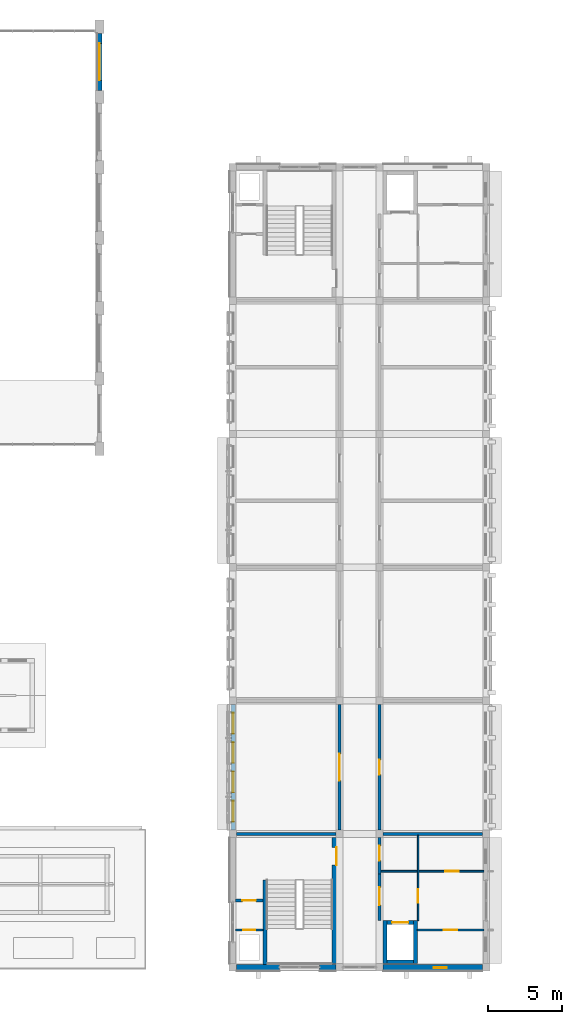
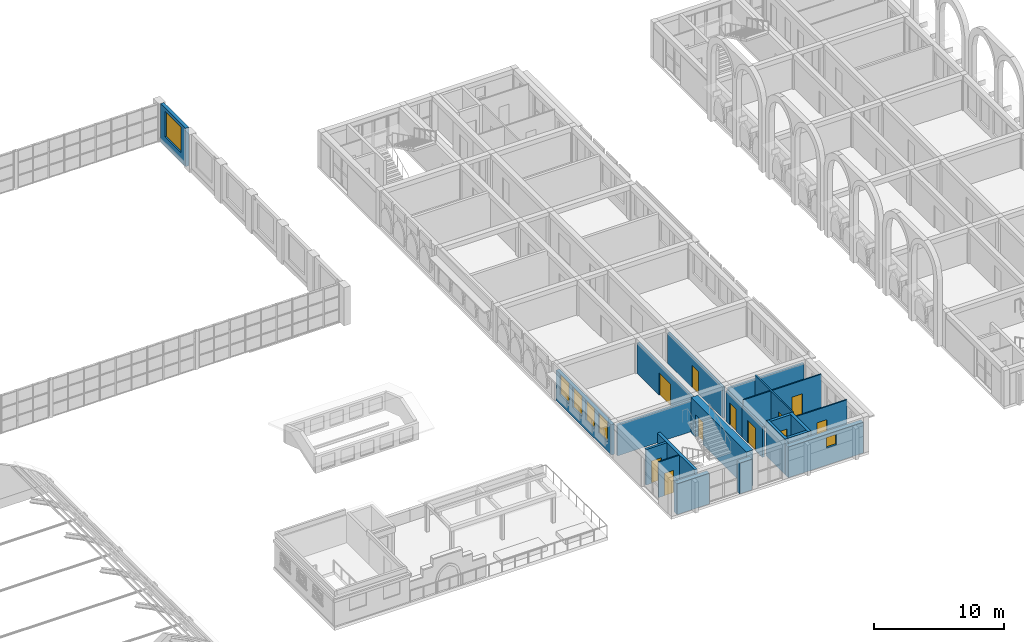
# One storey, part 35 of 70: 22 walls, 11 doors, 6 windows, 17 openings.
"""IFC4 building model written with IfcOpenShell, lengths in metres."""

import ifcopenshell
import ifcopenshell.guid

model = None  # the IFC model being written
_history = None  # IfcOwnerHistory: only IFC2X3 demands one
_inside = {}  # id of a spatial element -> (the spatial element, [elements in it])
_under = {}  # id of a project, library or spatial element -> (it, [spatial elements below it])
_declared = {}  # id of a project -> (the project, [libraries it declares])
_typed = {}  # id of a type object -> (the type object, [elements of that type])
_made_of = {}  # id of a material, layer set ... -> (it, [elements and type objects made of it])


def new_model(schema):
    """Start an empty IFC model of exactly this schema.

    Asked for "IFC4X3", IfcOpenShell would pick the latest addendum, in which some entities
    have other attributes; the version numbers below select the first issue.
    IFC2X3 requires an IfcOwnerHistory on every rooted entity: one is made here for all.
    """
    global model, _history
    if schema == "IFC4X3":
        model = ifcopenshell.file(schema_version=(4, 3, 0, 0))
    else:
        model = ifcopenshell.file(schema=schema)
    _inside.clear()
    _under.clear()
    _declared.clear()
    _typed.clear()
    _made_of.clear()
    _history = None
    if model.schema == "IFC2X3":
        org = make("IfcOrganization", Name="unknown")
        user = make(
            "IfcPersonAndOrganization",
            ThePerson=make("IfcPerson", FamilyName="unknown"),
            TheOrganization=org,
        )
        app = make(
            "IfcApplication",
            ApplicationDeveloper=org,
            Version="unknown",
            ApplicationFullName="unknown",
            ApplicationIdentifier="unknown",
        )
        _history = make(
            "IfcOwnerHistory",
            OwningUser=user,
            OwningApplication=app,
            ChangeAction="ADDED",
            CreationDate=0,
        )
    return model


def make(cls, **values):
    """One entity of the class cls with the attributes given. An attribute that is None is left unset."""
    return model.create_entity(
        cls, **{name: value for name, value in values.items() if value is not None}
    )


def rooted(cls, **values):
    """An entity with a GlobalId (a new one), such as an element, a storey or a relation."""
    return make(cls, GlobalId=ifcopenshell.guid.new(), OwnerHistory=_history, **values)


def si_unit(unit_type, name, prefix=None):
    """IfcSIUnit, for example si_unit("LENGTHUNIT", "METRE", prefix="MILLI")."""
    return make("IfcSIUnit", UnitType=unit_type, Prefix=prefix, Name=name)


def assignment(units):
    """IfcUnitAssignment: the units of a project."""
    return None if units is None else make("IfcUnitAssignment", Units=units)


def point(xyz):
    """IfcCartesianPoint."""
    return None if xyz is None else make("IfcCartesianPoint", Coordinates=xyz)


def direction(xyz):
    """IfcDirection."""
    return None if xyz is None else make("IfcDirection", DirectionRatios=xyz)


def frame(location, z_axis=None, x_axis=None):
    """IfcAxis2Placement3D, a coordinate frame: its origin and axes. An axis left out is left unset."""
    return make(
        "IfcAxis2Placement3D",
        Location=point(location),
        Axis=direction(z_axis),
        RefDirection=direction(x_axis),
    )


def frame_2d(location, x_axis=None):
    """IfcAxis2Placement2D, a coordinate frame in the plane: its origin and x axis."""
    return make(
        "IfcAxis2Placement2D", Location=point(location), RefDirection=direction(x_axis)
    )


def origin():
    """The frame at (0, 0, 0) with its axes left unset."""
    return frame((0.0, 0.0, 0.0))


def place(relative_to, where):
    """IfcLocalPlacement: puts the frame where relative to a parent placement (None: the world)."""
    return make(
        "IfcLocalPlacement", PlacementRelTo=relative_to, RelativePlacement=where
    )


def context(
    kind, dimensions, precision=None, world=None, true_north=None, identifier=None
):
    """IfcGeometricRepresentationContext, for example the 3D "Model" context."""
    return make(
        "IfcGeometricRepresentationContext",
        ContextIdentifier=identifier,
        ContextType=kind,
        CoordinateSpaceDimension=dimensions,
        Precision=precision,
        WorldCoordinateSystem=world,
        TrueNorth=true_north,
    )


def subcontext(parent, identifier, kind, view, scale=None):
    """IfcGeometricRepresentationSubContext, for example "Body" below "Model"."""
    return make(
        "IfcGeometricRepresentationSubContext",
        ContextIdentifier=identifier,
        ContextType=kind,
        ParentContext=parent,
        TargetScale=scale,
        TargetView=view,
    )


def project(units=None, contexts=None):
    """IfcProject with its units and contexts."""
    return rooted(
        "IfcProject",
        Name="project",
        RepresentationContexts=contexts,
        UnitsInContext=assignment(units),
    )


def spatial(cls, under=None, at=None, **own):
    """A site, building, storey or space (cls), placed at a placement, below another one or the project."""
    s = rooted(cls, ObjectPlacement=at, **own)
    if under is not None:
        _under.setdefault(under.id(), (under, []))[1].append(s)
    return s


def profile(cls, at=None, kind="AREA", **sizes):
    """A parametric profile (cls). Its sizes go by their IFC names, for example OverallWidth=200.0."""
    return make(cls, ProfileType=kind, Position=at, **sizes)


def rectangle(**sizes):
    """IfcRectangleProfileDef."""
    return profile("IfcRectangleProfileDef", **sizes)


def extrude(swept, where, along, depth):
    """IfcExtrudedAreaSolid: the profile swept, set in the frame where, extruded along a direction by depth."""
    return make(
        "IfcExtrudedAreaSolid",
        SweptArea=swept,
        Position=where,
        ExtrudedDirection=direction(along),
        Depth=depth,
    )


def shape(context_of_items, identifier, shape_type, items):
    """IfcShapeRepresentation: the items that make up one representation, for example the "Body"."""
    return make(
        "IfcShapeRepresentation",
        ContextOfItems=context_of_items,
        RepresentationIdentifier=identifier,
        RepresentationType=shape_type,
        Items=items,
    )


def material(Name=None, Category=None):
    """IfcMaterial."""
    return make("IfcMaterial", Name=Name, Category=Category)


def layer(
    of_material, thickness, ventilated=None, Name=None, Category=None, Priority=None
):
    """IfcMaterialLayer: one layer of a wall or slab, of a material (None: an air gap)."""
    return make(
        "IfcMaterialLayer",
        Material=of_material,
        LayerThickness=thickness,
        IsVentilated=ventilated,
        Name=Name,
        Category=Category,
        Priority=Priority,
    )


def layer_set(layers, Name=None):
    """IfcMaterialLayerSet."""
    return make("IfcMaterialLayerSet", MaterialLayers=layers, LayerSetName=Name)


def made_of(thing, what):
    """Note that an element or type object is made of a material, layer set ...; save() writes the relation."""
    if what is not None:
        _made_of.setdefault(what.id(), (what, []))[1].append(thing)
    return thing


def type_object(cls, material=None, **own):
    """A type object (cls), such as IfcWallType, which elements share."""
    return made_of(rooted(cls, **own), material)


def element(
    cls,
    number,
    at=None,
    inside=None,
    cuts=None,
    type_object=None,
    material=None,
    context=None,
    identifier="Body",
    shape_type=None,
    held_by="IfcProductDefinitionShape",
    body=None,
    shapes=None,
    **own,
):
    """One element of the class cls, such as IfcWall. Its Tag is "e" and its number.

    at: its placement. inside: the storey or other place that contains it. cuts: it is an
    opening in that element (IfcRelVoidsElement). A single representation is given by context,
    identifier, shape_type and body (its items); several are given by shapes. held_by: the class
    of the entity that holds the representations. save() writes the other relations.
    """
    e = rooted(cls, Tag="e%d" % number, ObjectPlacement=at, **own)
    if body is not None:
        shapes = [shape(context, identifier, shape_type, body)]
    if shapes is not None:
        e.Representation = make(held_by, Representations=shapes)
    if inside is not None:
        _inside.setdefault(inside.id(), (inside, []))[1].append(e)
    if cuts is not None:
        rooted(
            "IfcRelVoidsElement", RelatingBuildingElement=cuts, RelatedOpeningElement=e
        )
    if type_object is not None:
        _typed.setdefault(type_object.id(), (type_object, []))[1].append(e)
    return made_of(e, material)


def fill(opening, filler):
    """IfcRelFillsElement: the door or window that sits in an opening."""
    return rooted(
        "IfcRelFillsElement",
        RelatingOpeningElement=opening,
        RelatedBuildingElement=filler,
    )


def aggregate(whole, parts):
    """IfcRelAggregates: a whole, such as a stair, and the parts it consists of."""
    return rooted("IfcRelAggregates", RelatingObject=whole, RelatedObjects=parts)


def save(model, path):
    """Write the relations noted so far, then the file.

    IfcRelAggregates (storeys below a building ...), IfcRelContainedInSpatialStructure (elements
    in a storey), IfcRelDefinesByType, IfcRelAssociatesMaterial and IfcRelDeclares: one each for
    every whole, place, type object, material and project.
    """
    for whole, parts in _under.values():
        aggregate(whole, parts)
    for where, things in _inside.values():
        rooted(
            "IfcRelContainedInSpatialStructure",
            RelatedElements=things,
            RelatingStructure=where,
        )
    for kind, things in _typed.values():
        rooted("IfcRelDefinesByType", RelatedObjects=things, RelatingType=kind)
    for what, things in _made_of.values():
        rooted("IfcRelAssociatesMaterial", RelatedObjects=things, RelatingMaterial=what)
    for by, libraries in _declared.values():
        rooted("IfcRelDeclares", RelatingContext=by, RelatedDefinitions=libraries)
    model.write(path)


model = new_model("IFC4")

# Units and contexts
model_context = context("Model", 3, precision=1e-05, world=origin(), true_north=direction((0.0, 1.0)))
body_context = subcontext(model_context, "Body", "Model", "MODEL_VIEW")
ifc_project = project(units=[si_unit("LENGTHUNIT", "METRE"), si_unit("AREAUNIT", "SQUARE_METRE"), si_unit("VOLUMEUNIT", "CUBIC_METRE"), si_unit("PLANEANGLEUNIT", "RADIAN"), si_unit("MASSUNIT", "GRAM", prefix="KILO")], contexts=[model_context])

# Site, building, storey
site_placement = place(None, origin())
site = spatial("IfcSite", under=ifc_project, at=site_placement, CompositionType="ELEMENT")
building_placement = place(site_placement, origin())
building = spatial("IfcBuilding", under=site, at=building_placement, Name="Elbe Cascade School", CompositionType="ELEMENT")
storey_placement = place(building_placement, frame((0.0, 0.0, 8.10009765625)))
storey = spatial("IfcBuildingStorey", under=building, at=storey_placement, Name="L02", CompositionType="ELEMENT", Elevation=8.10009765625)

# Wall, opening, door
ifc_material_1 = material(Name="Masonry - lime-sand block, plastered", Category="masonry")
ifc_layer_1 = layer(ifc_material_1, 0.199951171875)
ifc_layer_set_1 = layer_set([ifc_layer_1], Name="Masonry - lime-sand block, plastered")
wall_type_1 = type_object("IfcWallType", Name="Bar corridor wall lime-sand block 200 EI 30", PredefinedType="PARTITIONING", material=ifc_layer_set_1)
wall_1_placement = place(storey_placement, frame((78.89990234375, 12.300048828125, 0.0), z_axis=(0.0, 0.0, 1.0), x_axis=(0.0, -1.0, 0.0)))
wall_1 = element("IfcWall", 1, at=wall_1_placement, inside=storey, type_object=wall_type_1, Name="Bar corridor wall lime-sand block 200 EI 30", PredefinedType="PARTITIONING", context=body_context, shape_type="SweptSolid", body=[
    extrude(rectangle(XDim=3.150146484375, YDim=0.199951171875, at=frame_2d((1.5751953125, 0.0))), origin(), (0.0, 0.0, 1.0), 2.89990234375),
])
opening_1_placement = place(wall_1_placement, frame((0.89990234375, 0.0, 0.0)))
opening_1 = element("IfcOpeningElement", 2, at=opening_1_placement, cuts=wall_1, Name="Opening D2.005", PredefinedType="OPENING", context=body_context, shape_type="SweptSolid", body=[
    extrude(rectangle(XDim=1.199951171875, YDim=2.10009765625, at=frame_2d((0.60009765625, 1.050048828125))), frame((0.0, 0.10986328125, 0.0), z_axis=(0.0, -1.0, 0.0), x_axis=(1.0, 0.0, 0.0)), (0.0, 0.0, 1.0), 0.219970703125),
])
ifc_material_2 = material(Name="Timber door leaf, fire-resisting and smoke-tight, steel frame", Category="steel")
door_type_1 = type_object("IfcDoorType", Name="Bar door FD30S 1200x2100", OperationType="NOTDEFINED", PredefinedType="DOOR", material=ifc_material_2)
door_1_placement = place(opening_1_placement, origin())
door_1 = element("IfcDoor", 3, at=door_1_placement, inside=storey, type_object=door_type_1, Name="Door A2.06", OperationType="SINGLE_SWING_LEFT", OverallHeight=2.10009765625, OverallWidth=1.199951171875, PredefinedType="DOOR", context=body_context, shape_type="SweptSolid", body=[
    extrude(rectangle(XDim=1.199951171875, YDim=2.10009765625, at=frame_2d((0.60009765625, 1.050048828125))), frame((0.0, 0.02490234375, 0.0), z_axis=(0.0, -1.0, 0.0), x_axis=(1.0, 0.0, 0.0)), (0.0, 0.0, 1.0), 0.050048828125),
])
fill(opening_1, door_1)

wall_2_placement = place(storey_placement, frame((78.89990234375, 12.300048828125, 0.0), z_axis=(0.0, 0.0, 1.0), x_axis=(0.0, 1.0, 0.0)))
wall_2 = element("IfcWall", 4, at=wall_2_placement, inside=storey, type_object=wall_type_1, Name="Bar corridor wall lime-sand block 200 EI 30", PredefinedType="PARTITIONING", context=body_context, shape_type="SweptSolid", body=[
    extrude(rectangle(XDim=2.449951171875, YDim=0.199951171875, at=frame_2d((1.22509765625, 0.0))), origin(), (0.0, 0.0, 1.0), 2.89990234375),
])
opening_2_placement = place(wall_2_placement, frame((0.89990234375, 0.0, 0.0)))
opening_2 = element("IfcOpeningElement", 5, at=opening_2_placement, cuts=wall_2, Name="Opening D2.009", PredefinedType="OPENING", context=body_context, shape_type="SweptSolid", body=[
    extrude(rectangle(XDim=1.0, YDim=2.10009765625, at=frame_2d((0.5, 1.050048828125))), frame((0.0, 0.10986328125, 0.0), z_axis=(0.0, -1.0, 0.0), x_axis=(1.0, 0.0, 0.0)), (0.0, 0.0, 1.0), 0.219970703125),
])
ifc_material_3 = material(Name="Timber door leaf, fire-resisting, steel frame", Category="steel")
door_type_2 = type_object("IfcDoorType", Name="Bar door FD30 1000x2100", OperationType="NOTDEFINED", PredefinedType="DOOR", material=ifc_material_3)
door_2_placement = place(opening_2_placement, origin())
door_2 = element("IfcDoor", 6, at=door_2_placement, inside=storey, type_object=door_type_2, Name="Door A2.10", OperationType="SINGLE_SWING_RIGHT", OverallHeight=2.10009765625, OverallWidth=1.0, PredefinedType="DOOR", context=body_context, shape_type="SweptSolid", body=[
    extrude(rectangle(XDim=1.0, YDim=2.10009765625, at=frame_2d((0.5, 1.050048828125))), frame((0.0, 0.02490234375, 0.0), z_axis=(0.0, -1.0, 0.0), x_axis=(1.0, 0.0, 0.0)), (0.0, 0.0, 1.0), 0.050048828125),
])
fill(opening_2, door_2)

wall_3_placement = place(storey_placement, frame((76.199951171875, 15.25, 0.0), z_axis=(0.0, 0.0, 1.0), x_axis=(0.0, 1.0, 0.0)))
wall_3 = element("IfcWall", 7, at=wall_3_placement, inside=storey, type_object=wall_type_1, Name="Bar corridor wall lime-sand block 200 EI 30", PredefinedType="PARTITIONING", context=body_context, shape_type="SweptSolid", body=[
    extrude(rectangle(XDim=8.5, YDim=0.199951171875, at=frame_2d((4.25, 0.0))), origin(), (0.0, 0.0, 1.0), 2.89990234375),
])
opening_3_placement = place(wall_3_placement, frame((3.35009765625, 0.0, 0.0)))
opening_3 = element("IfcOpeningElement", 8, at=opening_3_placement, cuts=wall_3, Name="Opening D2.010", PredefinedType="OPENING", context=body_context, shape_type="SweptSolid", body=[
    extrude(rectangle(XDim=1.800048828125, YDim=2.10009765625, at=frame_2d((0.89990234375, 1.050048828125))), frame((0.0, 0.10986328125, 0.0), z_axis=(0.0, -1.0, 0.0), x_axis=(1.0, 0.0, 0.0)), (0.0, 0.0, 1.0), 0.219970703125),
])
ifc_material_4 = material(Name="Timber door leaves, fire-resisting, steel frame", Category="steel")
door_type_3 = type_object("IfcDoorType", Name="Bar door FD30 1800x2100", OperationType="NOTDEFINED", PredefinedType="DOOR", material=ifc_material_4)
door_3_placement = place(opening_3_placement, origin())
door_3 = element("IfcDoor", 9, at=door_3_placement, inside=storey, type_object=door_type_3, Name="Door A2.20", OperationType="DOUBLE_DOOR_DOUBLE_SWING", OverallHeight=2.10009765625, OverallWidth=1.800048828125, PredefinedType="DOOR", context=body_context, shape_type="SweptSolid", body=[
    extrude(rectangle(XDim=1.800048828125, YDim=2.10009765625, at=frame_2d((0.89990234375, 1.050048828125))), frame((0.0, 0.02490234375, 0.0), z_axis=(0.0, -1.0, 0.0), x_axis=(1.0, 0.0, 0.0)), (0.0, 0.0, 1.0), 0.050048828125),
])
fill(opening_3, door_3)

wall_4_placement = place(storey_placement, frame((78.89990234375, 23.75, 0.0), z_axis=(0.0, 0.0, 1.0), x_axis=(0.0, -1.0, 0.0)))
wall_4 = element("IfcWall", 10, at=wall_4_placement, inside=storey, type_object=wall_type_1, Name="Bar corridor wall lime-sand block 200 EI 30", PredefinedType="PARTITIONING", context=body_context, shape_type="SweptSolid", body=[
    extrude(rectangle(XDim=8.5, YDim=0.199951171875, at=frame_2d((4.25, 0.0))), origin(), (0.0, 0.0, 1.0), 2.89990234375),
])
opening_4_placement = place(wall_4_placement, frame((3.75, 0.0, 0.0)))
opening_4 = element("IfcOpeningElement", 11, at=opening_4_placement, cuts=wall_4, Name="Opening D2.011", PredefinedType="OPENING", context=body_context, shape_type="SweptSolid", body=[
    extrude(rectangle(XDim=1.0, YDim=2.10009765625, at=frame_2d((0.5, 1.050048828125))), frame((0.0, 0.10986328125, 0.0), z_axis=(0.0, -1.0, 0.0), x_axis=(1.0, 0.0, 0.0)), (0.0, 0.0, 1.0), 0.219970703125),
])
door_4_placement = place(opening_4_placement, origin())
door_4 = element("IfcDoor", 12, at=door_4_placement, inside=storey, type_object=door_type_2, Name="Door A2.25", OperationType="SINGLE_SWING_RIGHT", OverallHeight=2.10009765625, OverallWidth=1.0, PredefinedType="DOOR", context=body_context, shape_type="SweptSolid", body=[
    extrude(rectangle(XDim=1.0, YDim=2.10009765625, at=frame_2d((0.5, 1.050048828125))), frame((0.0, 0.02490234375, 0.0), z_axis=(0.0, -1.0, 0.0), x_axis=(1.0, 0.0, 0.0)), (0.0, 0.0, 1.0), 0.050048828125),
])
fill(opening_4, door_4)

ifc_material_5 = material(Name="Masonry - lime-sand block, plastered", Category="masonry")
ifc_layer_2 = layer(ifc_material_5, 0.114990234375)
ifc_layer_set_2 = layer_set([ifc_layer_2], Name="Masonry - lime-sand block, plastered")
wall_type_2 = type_object("IfcWallType", Name="Bar light partition wall lime-sand block 115", PredefinedType="PARTITIONING", material=ifc_layer_set_2)
wall_5_placement = place(storey_placement, frame((71.050048828125, 8.52001953125, 0.0), z_axis=(0.0, 0.0, 1.0), x_axis=(-1.0, 0.0, 0.0)))
wall_5 = element("IfcWall", 13, at=wall_5_placement, inside=storey, type_object=wall_type_2, Name="Bar light partition wall lime-sand block 115", PredefinedType="PARTITIONING", context=body_context, shape_type="SweptSolid", body=[
    extrude(rectangle(XDim=1.8701171875, YDim=0.114990234375, at=frame_2d((0.93505859375, 0.0))), origin(), (0.0, 0.0, 1.0), 3.349853515625),
])
opening_5_placement = place(wall_5_placement, frame((0.550048828125, 0.0, 0.0)))
opening_5 = element("IfcOpeningElement", 14, at=opening_5_placement, cuts=wall_5, Name="Opening D2.001", PredefinedType="OPENING", context=body_context, shape_type="SweptSolid", body=[
    extrude(rectangle(XDim=0.800048828125, YDim=2.10009765625, at=frame_2d((0.39990234375, 1.050048828125))), frame((0.0, 0.0673828125, 0.0), z_axis=(0.0, -1.0, 0.0), x_axis=(1.0, 0.0, 0.0)), (0.0, 0.0, 1.0), 0.135009765625),
])
ifc_material_6 = material(Name="Timber door leaf, steel frame", Category="steel")
door_type_4 = type_object("IfcDoorType", Name="Bar door 800x2100", OperationType="NOTDEFINED", PredefinedType="DOOR", material=ifc_material_6)
door_5_placement = place(opening_5_placement, origin())
door_5 = element("IfcDoor", 15, at=door_5_placement, inside=storey, type_object=door_type_4, Name="Door A2.05", OperationType="SINGLE_SWING_LEFT", OverallHeight=2.10009765625, OverallWidth=0.800048828125, PredefinedType="DOOR", context=body_context, shape_type="SweptSolid", body=[
    extrude(rectangle(XDim=0.800048828125, YDim=2.10009765625, at=frame_2d((0.39990234375, 1.050048828125))), frame((0.0, 0.02490234375, 0.0), z_axis=(0.0, -1.0, 0.0), x_axis=(1.0, 0.0, 0.0)), (0.0, 0.0, 1.0), 0.050048828125),
])
fill(opening_5, door_5)

wall_6_placement = place(storey_placement, frame((81.507568359375, 14.89990234375, 0.0), z_axis=(0.0, 0.0, 1.0), x_axis=(0.0, -1.0, 0.0)))
wall_6 = element("IfcWall", 16, at=wall_6_placement, inside=storey, type_object=wall_type_2, Name="Bar light partition wall lime-sand block 115", PredefinedType="PARTITIONING", context=body_context, shape_type="SweptSolid", body=[
    extrude(rectangle(XDim=5.75, YDim=0.114990234375, at=frame_2d((2.875, 0.0))), origin(), (0.0, 0.0, 1.0), 3.349853515625),
])
opening_6_placement = place(wall_6_placement, frame((3.64990234375, 0.0, 0.0)))
opening_6 = element("IfcOpeningElement", 17, at=opening_6_placement, cuts=wall_6, Name="Opening D2.006", PredefinedType="OPENING", context=body_context, shape_type="SweptSolid", body=[
    extrude(rectangle(XDim=0.89990234375, YDim=2.10009765625, at=frame_2d((0.449951171875, 1.050048828125))), frame((0.0, 0.0673828125, 0.0), z_axis=(0.0, -1.0, 0.0), x_axis=(1.0, 0.0, 0.0)), (0.0, 0.0, 1.0), 0.135009765625),
])
ifc_material_7 = material(Name="Timber door leaf, steel frame", Category="steel")
door_type_5 = type_object("IfcDoorType", Name="Bar door 900x2100", OperationType="NOTDEFINED", PredefinedType="DOOR", material=ifc_material_7)
door_6_placement = place(opening_6_placement, origin())
door_6 = element("IfcDoor", 18, at=door_6_placement, inside=storey, type_object=door_type_5, Name="Door A2.07", OperationType="SINGLE_SWING_LEFT", OverallHeight=2.10009765625, OverallWidth=0.89990234375, PredefinedType="DOOR", context=body_context, shape_type="SweptSolid", body=[
    extrude(rectangle(XDim=0.89990234375, YDim=2.10009765625, at=frame_2d((0.449951171875, 1.050048828125))), frame((0.0, 0.02490234375, 0.0), z_axis=(0.0, -1.0, 0.0), x_axis=(1.0, 0.0, 0.0)), (0.0, 0.0, 1.0), 0.050048828125),
])
fill(opening_6, door_6)

wall_7_placement = place(storey_placement, frame((85.949951171875, 8.52001953125, 0.0), z_axis=(0.0, 0.0, 1.0), x_axis=(-1.0, 0.0, 0.0)))
wall_7 = element("IfcWall", 19, at=wall_7_placement, inside=storey, type_object=wall_type_2, Name="Bar light partition wall lime-sand block 115", PredefinedType="PARTITIONING", context=body_context, shape_type="SweptSolid", body=[
    extrude(rectangle(XDim=4.5, YDim=0.114990234375, at=frame_2d((2.25, 0.0))), origin(), (0.0, 0.0, 1.0), 3.349853515625),
])
opening_7_placement = place(wall_7_placement, frame((1.800048828125, 0.0, 0.0)))
opening_7 = element("IfcOpeningElement", 20, at=opening_7_placement, cuts=wall_7, Name="Opening D2.002", PredefinedType="OPENING", context=body_context, shape_type="SweptSolid", body=[
    extrude(rectangle(XDim=0.89990234375, YDim=2.10009765625, at=frame_2d((0.449951171875, 1.050048828125))), frame((0.0, 0.0673828125, 0.0), z_axis=(0.0, -1.0, 0.0), x_axis=(1.0, 0.0, 0.0)), (0.0, 0.0, 1.0), 0.135009765625),
])
door_7_placement = place(opening_7_placement, origin())
door_7 = element("IfcDoor", 21, at=door_7_placement, inside=storey, type_object=door_type_5, Name="Door A2.08", OperationType="SINGLE_SWING_LEFT", OverallHeight=2.10009765625, OverallWidth=0.89990234375, PredefinedType="DOOR", context=body_context, shape_type="SweptSolid", body=[
    extrude(rectangle(XDim=0.89990234375, YDim=2.10009765625, at=frame_2d((0.449951171875, 1.050048828125))), frame((0.0, 0.02490234375, 0.0), z_axis=(0.0, -1.0, 0.0), x_axis=(1.0, 0.0, 0.0)), (0.0, 0.0, 1.0), 0.050048828125),
])
fill(opening_7, door_7)

wall_8_placement = place(storey_placement, frame((79.0, 12.47998046875, 0.0), z_axis=(0.0, 0.0, 1.0), x_axis=(1.0, 0.0, 0.0)))
wall_8 = element("IfcWall", 22, at=wall_8_placement, inside=storey, type_object=wall_type_2, Name="Bar light partition wall lime-sand block 115", PredefinedType="PARTITIONING", context=body_context, shape_type="SweptSolid", body=[
    extrude(rectangle(XDim=6.949951171875, YDim=0.114990234375, at=frame_2d((3.47509765625, 0.0))), origin(), (0.0, 0.0, 1.0), 3.349853515625),
])
opening_8_placement = place(wall_8_placement, frame((4.35009765625, 0.0, 0.0)))
opening_8 = element("IfcOpeningElement", 23, at=opening_8_placement, cuts=wall_8, Name="Opening D2.007", PredefinedType="OPENING", context=body_context, shape_type="SweptSolid", body=[
    extrude(rectangle(XDim=0.89990234375, YDim=2.10009765625, at=frame_2d((0.449951171875, 1.050048828125))), frame((0.0, 0.0673828125, 0.0), z_axis=(0.0, -1.0, 0.0), x_axis=(1.0, 0.0, 0.0)), (0.0, 0.0, 1.0), 0.135009765625),
])
door_8_placement = place(opening_8_placement, origin())
door_8 = element("IfcDoor", 24, at=door_8_placement, inside=storey, type_object=door_type_5, Name="Door A2.09", OperationType="SINGLE_SWING_RIGHT", OverallHeight=2.10009765625, OverallWidth=0.89990234375, PredefinedType="DOOR", context=body_context, shape_type="SweptSolid", body=[
    extrude(rectangle(XDim=0.89990234375, YDim=2.10009765625, at=frame_2d((0.449951171875, 1.050048828125))), frame((0.0, 0.02490234375, 0.0), z_axis=(0.0, -1.0, 0.0), x_axis=(1.0, 0.0, 0.0)), (0.0, 0.0, 1.0), 0.050048828125),
])
fill(opening_8, door_8)

# Walls
ifc_material_8 = material(Name="Masonry - lime-sand block, plastered", Category="masonry")
ifc_layer_3 = layer(ifc_material_8, 0.199951171875)
ifc_layer_set_3 = layer_set([ifc_layer_3], Name="Masonry - lime-sand block, plastered")
wall_type_3 = type_object("IfcWallType", Name="Bar partition wall lime-sand block 200", PredefinedType="PARTITIONING", material=ifc_layer_set_3)
wall_9_placement = place(storey_placement, frame((79.14990234375, 15.0, 0.0), z_axis=(0.0, 0.0, 1.0), x_axis=(1.0, 0.0, 0.0)))
element("IfcWall", 25, at=wall_9_placement, inside=storey, type_object=wall_type_3, Name="Bar partition wall lime-sand block 200", PredefinedType="PARTITIONING", context=body_context, shape_type="SweptSolid", body=[
    extrude(rectangle(XDim=6.7001953125, YDim=0.199951171875, at=frame_2d((3.35009765625, 0.0))), origin(), (0.0, 0.0, 1.0), 2.89990234375),
])
ifc_material_9 = material(Name="Concrete C30/37", Category="concrete")
ifc_layer_4 = layer(ifc_material_9, 0.25)
ifc_layer_set_4 = layer_set([ifc_layer_4], Name="Concrete C30/37")
wall_type_4 = type_object("IfcWallType", Name="Bar stair core wall RC 250", PredefinedType="SOLIDWALL", material=ifc_layer_set_4)
wall_10_placement = place(storey_placement, frame((71.175048828125, 6.179931640625, 0.0), z_axis=(0.0, 0.0, 1.0), x_axis=(0.0, 1.0, 0.0)))
element("IfcWall", 26, at=wall_10_placement, inside=storey, type_object=wall_type_4, Name="Bar stair core wall RC 250", PredefinedType="SOLIDWALL", context=body_context, shape_type="SweptSolid", body=[
    extrude(rectangle(XDim=5.719970703125, YDim=0.25, at=frame_2d((2.85986328125, 0.0))), origin(), (0.0, 0.0, 1.0), 3.349853515625),
])

# Wall, opening, door
ifc_material_10 = material(Name="Concrete C30/37", Category="concrete")
ifc_layer_5 = layer(ifc_material_10, 0.60009765625)
ifc_layer_set_5 = layer_set([ifc_layer_5], Name="Concrete C30/37")
wall_type_5 = type_object("IfcWallType", Name="Bar stair core wall RC 600", PredefinedType="SOLIDWALL", material=ifc_layer_set_5)
wall_11_placement = place(storey_placement, frame((76.0, 6.25, 0.0), z_axis=(0.0, 0.0, 1.0), x_axis=(0.0, 1.0, 0.0)))
wall_11 = element("IfcWall", 27, at=wall_11_placement, inside=storey, type_object=wall_type_5, Name="Bar stair core wall RC 600", PredefinedType="SOLIDWALL", context=body_context, shape_type="SweptSolid", body=[
    extrude(rectangle(XDim=8.5, YDim=0.60009765625, at=frame_2d((4.25, 0.0))), origin(), (0.0, 0.0, 1.0), 3.349853515625),
])
opening_9_placement = place(wall_11_placement, frame((6.64990234375, 0.0, 0.0)))
opening_9 = element("IfcOpeningElement", 28, at=opening_9_placement, cuts=wall_11, Name="Opening D2.008", PredefinedType="OPENING", context=body_context, shape_type="SweptSolid", body=[
    extrude(rectangle(XDim=1.199951171875, YDim=2.10009765625, at=frame_2d((0.60009765625, 1.050048828125))), frame((0.0, 0.31005859375, 0.0), z_axis=(0.0, -1.0, 0.0), x_axis=(1.0, 0.0, 0.0)), (0.0, 0.0, 1.0), 0.6201171875),
])
door_9_placement = place(opening_9_placement, origin())
door_9 = element("IfcDoor", 29, at=door_9_placement, inside=storey, type_object=door_type_1, Name="Door A2.03", OperationType="SINGLE_SWING_RIGHT", OverallHeight=2.10009765625, OverallWidth=1.199951171875, PredefinedType="DOOR", context=body_context, shape_type="SweptSolid", body=[
    extrude(rectangle(XDim=1.199951171875, YDim=2.10009765625, at=frame_2d((0.60009765625, 1.050048828125))), frame((0.0, 0.02490234375, 0.0), z_axis=(0.0, -1.0, 0.0), x_axis=(1.0, 0.0, 0.0)), (0.0, 0.0, 1.0), 0.050048828125),
])
fill(opening_9, door_9)

ifc_material_11 = material(Name="Concrete C30/37", Category="concrete")
ifc_layer_6 = layer(ifc_material_11, 0.199951171875)
ifc_layer_set_6 = layer_set([ifc_layer_6], Name="Concrete C30/37")
wall_type_6 = type_object("IfcWallType", Name="Bar stair lobby wall RC 200", PredefinedType="SOLIDWALL", material=ifc_layer_set_6)
wall_12_placement = place(storey_placement, frame((71.050048828125, 10.5, 0.0), z_axis=(0.0, 0.0, 1.0), x_axis=(-1.0, 0.0, 0.0)))
wall_12 = element("IfcWall", 30, at=wall_12_placement, inside=storey, type_object=wall_type_6, Name="Bar stair lobby wall RC 200", PredefinedType="SOLIDWALL", context=body_context, shape_type="SweptSolid", body=[
    extrude(rectangle(XDim=1.8701171875, YDim=0.199951171875, at=frame_2d((0.93505859375, 0.0))), origin(), (0.0, 0.0, 1.0), 3.349853515625),
])
opening_10_placement = place(wall_12_placement, frame((0.5, 0.0, 0.0)))
opening_10 = element("IfcOpeningElement", 31, at=opening_10_placement, cuts=wall_12, Name="Opening D2.004", PredefinedType="OPENING", context=body_context, shape_type="SweptSolid", body=[
    extrude(rectangle(XDim=0.89990234375, YDim=2.10009765625, at=frame_2d((0.449951171875, 1.050048828125))), frame((0.0, 0.10986328125, 0.0), z_axis=(0.0, -1.0, 0.0), x_axis=(1.0, 0.0, 0.0)), (0.0, 0.0, 1.0), 0.219970703125),
])
ifc_material_12 = material(Name="Timber door leaf, fire-resisting and smoke-tight, steel frame", Category="steel")
door_type_6 = type_object("IfcDoorType", Name="Bar door FD30S 900x2100", OperationType="NOTDEFINED", PredefinedType="DOOR", material=ifc_material_12)
door_10_placement = place(opening_10_placement, origin())
door_10 = element("IfcDoor", 32, at=door_10_placement, inside=storey, type_object=door_type_6, Name="Door A2.04", OperationType="SINGLE_SWING_RIGHT", OverallHeight=2.10009765625, OverallWidth=0.89990234375, PredefinedType="DOOR", context=body_context, shape_type="SweptSolid", body=[
    extrude(rectangle(XDim=0.89990234375, YDim=2.10009765625, at=frame_2d((0.449951171875, 1.050048828125))), frame((0.0, 0.02490234375, 0.0), z_axis=(0.0, -1.0, 0.0), x_axis=(1.0, 0.0, 0.0)), (0.0, 0.0, 1.0), 0.050048828125),
])
fill(opening_10, door_10)

# Wall
wall_13_placement = place(storey_placement, frame((69.25, 15.0, 0.0), z_axis=(0.0, 0.0, 1.0), x_axis=(1.0, 0.0, 0.0)))
element("IfcWall", 33, at=wall_13_placement, inside=storey, type_object=wall_type_6, Name="Bar stair lobby wall RC 200", PredefinedType="SOLIDWALL", context=body_context, shape_type="SweptSolid", body=[
    extrude(rectangle(XDim=6.699951171875, YDim=0.199951171875, at=frame_2d((3.35009765625, 0.0))), origin(), (0.0, 0.0, 1.0), 2.89990234375),
])

# Wall, openings, windows
ifc_material_13 = material(Name="Brick masonry - red clinker, cavity wall with render backing", Category="masonry")
ifc_layer_7 = layer(ifc_material_13, 0.300048828125)
ifc_layer_set_7 = layer_set([ifc_layer_7], Name="Brick masonry - red clinker, cavity wall with render backing")
wall_type_7 = type_object("IfcWallType", Name="Bars envelope External wall - clinker brick cavity, 300 upper floors", PredefinedType="STANDARD", material=ifc_layer_set_7)
wall_14_placement = place(storey_placement, frame((69.030029296875, 15.25, 0.0), z_axis=(0.0, 0.0, 1.0), x_axis=(0.0, 1.0, 0.0)))
wall_14 = element("IfcWall", 34, at=wall_14_placement, inside=storey, type_object=wall_type_7, Name="External wall W30 A.L02.w2", PredefinedType="STANDARD", context=body_context, shape_type="SweptSolid", body=[
    extrude(rectangle(XDim=8.5, YDim=0.300048828125, at=frame_2d((4.25, 0.0))), origin(), (0.0, 0.0, 1.0), 2.849853515625),
])
opening_11_placement = place(wall_14_placement, frame((0.580078125, 0.0, 0.89990234375)))
opening_11 = element("IfcOpeningElement", 35, at=opening_11_placement, cuts=wall_14, Name="Opening W2.004", PredefinedType="OPENING", context=body_context, shape_type="SweptSolid", body=[
    extrude(rectangle(XDim=1.39990234375, YDim=1.89990234375, at=frame_2d((0.699951171875, 0.949951171875))), frame((0.0, 0.159912109375, 0.0), z_axis=(0.0, -1.0, 0.0), x_axis=(1.0, 0.0, 0.0)), (0.0, 0.0, 1.0), 0.320068359375),
])
opening_12_placement = place(wall_14_placement, frame((2.56005859375, 0.0, 0.89990234375)))
opening_12 = element("IfcOpeningElement", 36, at=opening_12_placement, cuts=wall_14, Name="Opening W2.006", PredefinedType="OPENING", context=body_context, shape_type="SweptSolid", body=[
    extrude(rectangle(XDim=1.39990234375, YDim=1.89990234375, at=frame_2d((0.699951171875, 0.949951171875))), frame((0.0, 0.159912109375, 0.0), z_axis=(0.0, -1.0, 0.0), x_axis=(1.0, 0.0, 0.0)), (0.0, 0.0, 1.0), 0.320068359375),
])
opening_13_placement = place(wall_14_placement, frame((4.5400390625, 0.0, 0.89990234375)))
opening_13 = element("IfcOpeningElement", 37, at=opening_13_placement, cuts=wall_14, Name="Opening W2.008", PredefinedType="OPENING", context=body_context, shape_type="SweptSolid", body=[
    extrude(rectangle(XDim=1.39990234375, YDim=1.89990234375, at=frame_2d((0.699951171875, 0.949951171875))), frame((0.0, 0.159912109375, 0.0), z_axis=(0.0, -1.0, 0.0), x_axis=(1.0, 0.0, 0.0)), (0.0, 0.0, 1.0), 0.320068359375),
])
opening_14_placement = place(wall_14_placement, frame((6.52001953125, 0.0, 0.89990234375)))
opening_14 = element("IfcOpeningElement", 38, at=opening_14_placement, cuts=wall_14, Name="Opening W2.010", PredefinedType="OPENING", context=body_context, shape_type="SweptSolid", body=[
    extrude(rectangle(XDim=1.39990234375, YDim=1.89990234375, at=frame_2d((0.699951171875, 0.949951171875))), frame((0.0, 0.159912109375, 0.0), z_axis=(0.0, -1.0, 0.0), x_axis=(1.0, 0.0, 0.0)), (0.0, 0.0, 1.0), 0.320068359375),
])
ifc_material_14 = material(Name="Aluminium frame with double glazing, bronze anodised", Category="aluminium")
window_type_1 = type_object("IfcWindowType", Name="Bars envelope Window 1400 x 1900, laboratory and office, bench height sill, aluminium double glazed", PartitioningType="DOUBLE_PANEL_VERTICAL", PredefinedType="WINDOW", material=ifc_material_14)
window_1_placement = place(opening_11_placement, origin())
window_1 = element("IfcWindow", 39, at=window_1_placement, inside=storey, type_object=window_type_1, Name="Window WN6 A.L02.w2.1", OverallHeight=1.89990234375, OverallWidth=1.39990234375, PartitioningType="DOUBLE_PANEL_VERTICAL", PredefinedType="WINDOW", context=body_context, shape_type="SweptSolid", body=[
    extrude(rectangle(XDim=1.39990234375, YDim=1.89990234375, at=frame_2d((0.699951171875, 0.949951171875))), frame((0.0, 0.030029296875, 0.0), z_axis=(0.0, -1.0, 0.0), x_axis=(1.0, 0.0, 0.0)), (0.0, 0.0, 1.0), 0.06005859375),
])
fill(opening_11, window_1)
window_2_placement = place(opening_12_placement, origin())
window_2 = element("IfcWindow", 40, at=window_2_placement, inside=storey, type_object=window_type_1, Name="Window WN6 A.L02.w2.2", OverallHeight=1.89990234375, OverallWidth=1.39990234375, PartitioningType="DOUBLE_PANEL_VERTICAL", PredefinedType="WINDOW", context=body_context, shape_type="SweptSolid", body=[
    extrude(rectangle(XDim=1.39990234375, YDim=1.89990234375, at=frame_2d((0.699951171875, 0.949951171875))), frame((0.0, 0.030029296875, 0.0), z_axis=(0.0, -1.0, 0.0), x_axis=(1.0, 0.0, 0.0)), (0.0, 0.0, 1.0), 0.06005859375),
])
fill(opening_12, window_2)
window_3_placement = place(opening_13_placement, origin())
window_3 = element("IfcWindow", 41, at=window_3_placement, inside=storey, type_object=window_type_1, Name="Window WN6 A.L02.w2.3", OverallHeight=1.89990234375, OverallWidth=1.39990234375, PartitioningType="DOUBLE_PANEL_VERTICAL", PredefinedType="WINDOW", context=body_context, shape_type="SweptSolid", body=[
    extrude(rectangle(XDim=1.39990234375, YDim=1.89990234375, at=frame_2d((0.699951171875, 0.949951171875))), frame((0.0, 0.030029296875, 0.0), z_axis=(0.0, -1.0, 0.0), x_axis=(1.0, 0.0, 0.0)), (0.0, 0.0, 1.0), 0.06005859375),
])
fill(opening_13, window_3)
window_4_placement = place(opening_14_placement, origin())
window_4 = element("IfcWindow", 42, at=window_4_placement, inside=storey, type_object=window_type_1, Name="Window WN6 A.L02.w2.4", OverallHeight=1.89990234375, OverallWidth=1.39990234375, PartitioningType="DOUBLE_PANEL_VERTICAL", PredefinedType="WINDOW", context=body_context, shape_type="SweptSolid", body=[
    extrude(rectangle(XDim=1.39990234375, YDim=1.89990234375, at=frame_2d((0.699951171875, 0.949951171875))), frame((0.0, 0.030029296875, 0.0), z_axis=(0.0, -1.0, 0.0), x_axis=(1.0, 0.0, 0.0)), (0.0, 0.0, 1.0), 0.06005859375),
])
fill(opening_14, window_4)

# Walls
ifc_material_15 = material(Name="Brick masonry - red clinker, solid, sandstone-faced", Category="masonry")
ifc_layer_8 = layer(ifc_material_15, 0.39990234375)
ifc_layer_set_8 = layer_set([ifc_layer_8], Name="Brick masonry - red clinker, solid, sandstone-faced")
wall_type_8 = type_object("IfcWallType", Name="Bars envelope External wall - solid masonry core strip, sandstone faced, 400", PredefinedType="STANDARD", material=ifc_layer_set_8)
wall_15_placement = place(storey_placement, frame((72.14990234375, 5.97998046875, 0.0), z_axis=(0.0, 0.0, 1.0), x_axis=(-1.0, 0.0, 0.0)))
element("IfcWall", 43, at=wall_15_placement, inside=storey, type_object=wall_type_8, Name="External wall W31 A.L02.s1a", PredefinedType="STANDARD", context=body_context, shape_type="SweptSolid", body=[
    extrude(rectangle(XDim=2.89990234375, YDim=0.39990234375, at=frame_2d((1.449951171875, 0.0))), origin(), (0.0, 0.0, 1.0), 2.89990234375),
])
wall_16_placement = place(storey_placement, frame((75.949951171875, 5.97998046875, 0.0), z_axis=(0.0, 0.0, 1.0), x_axis=(-1.0, 0.0, 0.0)))
element("IfcWall", 44, at=wall_16_placement, inside=storey, type_object=wall_type_8, Name="External wall W31 A.L02.s1b", PredefinedType="STANDARD", context=body_context, shape_type="SweptSolid", body=[
    extrude(rectangle(XDim=1.099853515625, YDim=0.39990234375, at=frame_2d((0.5498046875, 0.0))), origin(), (0.0, 0.0, 1.0), 2.89990234375),
])

# Wall, opening, window
wall_17_placement = place(storey_placement, frame((85.85009765625, 5.97998046875, 0.0), z_axis=(0.0, 0.0, 1.0), x_axis=(-1.0, 0.0, 0.0)))
wall_17 = element("IfcWall", 45, at=wall_17_placement, inside=storey, type_object=wall_type_8, Name="External wall W31 A.L02.s3", PredefinedType="STANDARD", context=body_context, shape_type="SweptSolid", body=[
    extrude(rectangle(XDim=6.7001953125, YDim=0.39990234375, at=frame_2d((3.35009765625, 0.0))), origin(), (0.0, 0.0, 1.0), 2.89990234375),
])
opening_15_placement = place(wall_17_placement, frame((2.39990234375, 0.0, 1.60009765625)))
opening_15 = element("IfcOpeningElement", 46, at=opening_15_placement, cuts=wall_17, Name="Opening W2.001", PredefinedType="OPENING", context=body_context, shape_type="SweptSolid", body=[
    extrude(rectangle(XDim=0.89990234375, YDim=1.0, at=frame_2d((0.449951171875, 0.5))), frame((0.0, 0.2099609375, 0.0), z_axis=(0.0, -1.0, 0.0), x_axis=(1.0, 0.0, 0.0)), (0.0, 0.0, 1.0), 0.419921875),
])
ifc_material_16 = material(Name="Aluminium frame with double glazing, bronze anodised", Category="aluminium")
window_type_2 = type_object("IfcWindowType", Name="Bars envelope Window 900 x 1000, WC and service room, high level, aluminium double glazed", PartitioningType="SINGLE_PANEL", PredefinedType="WINDOW", material=ifc_material_16)
window_5_placement = place(opening_15_placement, origin())
window_5 = element("IfcWindow", 47, at=window_5_placement, inside=storey, type_object=window_type_2, Name="Window WN4 A.L02.s3.1", OverallHeight=1.0, OverallWidth=0.89990234375, PartitioningType="SINGLE_PANEL", PredefinedType="WINDOW", context=body_context, shape_type="SweptSolid", body=[
    extrude(rectangle(XDim=0.89990234375, YDim=1.0, at=frame_2d((0.449951171875, 0.5))), frame((0.0, 0.030029296875, 0.0), z_axis=(0.0, -1.0, 0.0), x_axis=(1.0, 0.0, 0.0)), (0.0, 0.0, 1.0), 0.06005859375),
])
fill(opening_15, window_5)

ifc_material_17 = material(Name="Concrete C30/37 wall", Category="concrete")
ifc_layer_9 = layer(ifc_material_17, 0.300048828125)
ifc_layer_set_9 = layer_set([ifc_layer_9], Name="Concrete C30/37 wall")
wall_type_9 = type_object("IfcWallType", Name="Hall wall Concrete C30/37 300", PredefinedType="SOLIDWALL", material=ifc_layer_set_9)
wall_18_placement = place(storey_placement, frame((60.0, 65.199951171875, 0.0), z_axis=(0.0, 0.0, 1.0), x_axis=(0.0, 1.0, 0.0)))
wall_18 = element("IfcWall", 48, at=wall_18_placement, inside=storey, type_object=wall_type_9, Name="Hall wall E6", PredefinedType="SOLIDWALL", context=body_context, shape_type="SweptSolid", body=[
    extrude(rectangle(XDim=3.85009765625, YDim=0.300048828125, at=frame_2d((1.925048828125, 0.0))), origin(), (0.0, 0.0, 1.0), 3.599853515625),
])
opening_16_placement = place(wall_18_placement, frame((0.675048828125, 0.0, 0.89990234375)))
opening_16 = element("IfcOpeningElement", 49, at=opening_16_placement, cuts=wall_18, Name="Opening W2.134", PredefinedType="OPENING", context=body_context, shape_type="SweptSolid", body=[
    extrude(rectangle(XDim=2.5, YDim=2.39990234375, at=frame_2d((1.25, 1.199951171875))), frame((0.0, 0.159912109375, 0.0), z_axis=(0.0, -1.0, 0.0), x_axis=(1.0, 0.0, 0.0)), (0.0, 0.0, 1.0), 0.320068359375),
])
ifc_material_18 = material(Name="Glass - double glazed low-E", Category="glass")
window_type_3 = type_object("IfcWindowType", Name="Hall clerestory window 2500x2400", PartitioningType="SINGLE_PANEL", PredefinedType="WINDOW", material=ifc_material_18)
window_6_placement = place(opening_16_placement, origin())
window_6 = element("IfcWindow", 50, at=window_6_placement, inside=storey, type_object=window_type_3, Name="Clerestory window E6", OverallHeight=2.39990234375, OverallWidth=2.5, PartitioningType="SINGLE_PANEL", PredefinedType="WINDOW", context=body_context, shape_type="SweptSolid", body=[
    extrude(rectangle(XDim=2.5, YDim=2.39990234375, at=frame_2d((1.25, 1.199951171875))), frame((0.0, 0.030029296875, 0.0), z_axis=(0.0, -1.0, 0.0), x_axis=(1.0, 0.0, 0.0)), (0.0, 0.0, 1.0), 0.06005859375),
])
fill(opening_16, window_6)

# Walls
ifc_material_19 = material(Name="Concrete C30/37", Category="concrete")
ifc_layer_10 = layer(ifc_material_19, 0.25)
ifc_layer_set_10 = layer_set([ifc_layer_10], Name="Concrete C30/37")
wall_type_10 = type_object("IfcWallType", Name="Shaft wall 250", PredefinedType="SHEAR", material=ifc_layer_set_10)
for number, where, z_axis, x_axis, name in (
    (51, (79.27490234375, 6.25, 0.0), (0.0, 0.0, 1.0), (0.0, 1.0, 0.0), "Shaft wall 250 W1"),
    (52, (81.324951171875, 6.25, 0.0), (0.0, 0.0, 1.0), (0.0, 1.0, 0.0), "Shaft wall 250 W1"),
):
    element("IfcWall", number, at=place(storey_placement, frame(where, z_axis=z_axis, x_axis=x_axis)), inside=storey, type_object=wall_type_10, Name=name, PredefinedType="SHEAR", context=body_context, shape_type="SweptSolid", body=[
        extrude(rectangle(XDim=2.89990234375, YDim=0.25, at=frame_2d((1.449951171875, 0.0))), origin(), (0.0, 0.0, 1.0), 3.349853515625),
    ])
wall_19_placement = place(storey_placement, frame((79.39990234375, 6.375, 0.0), z_axis=(0.0, 0.0, 1.0), x_axis=(1.0, 0.0, 0.0)))
element("IfcWall", 53, at=wall_19_placement, inside=storey, type_object=wall_type_10, Name="Shaft wall 250 W1", PredefinedType="SHEAR", context=body_context, shape_type="SweptSolid", body=[
    extrude(rectangle(XDim=1.800048828125, YDim=0.25, at=frame_2d((0.89990234375, 0.0))), origin(), (0.0, 0.0, 1.0), 3.349853515625),
])

# Wall, opening, door
wall_20_placement = place(storey_placement, frame((79.39990234375, 9.02490234375, 0.0), z_axis=(0.0, 0.0, 1.0), x_axis=(1.0, 0.0, 0.0)))
wall_20 = element("IfcWall", 54, at=wall_20_placement, inside=storey, type_object=wall_type_10, Name="Shaft wall 250 W1", PredefinedType="SHEAR", context=body_context, shape_type="SweptSolid", body=[
    extrude(rectangle(XDim=1.800048828125, YDim=0.25, at=frame_2d((0.89990234375, 0.0))), origin(), (0.0, 0.0, 1.0), 3.349853515625),
])
opening_17_placement = place(wall_20_placement, frame((0.35009765625, 0.0, 0.0)))
opening_17 = element("IfcOpeningElement", 55, at=opening_17_placement, cuts=wall_20, Name="Opening D2.003", PredefinedType="OPENING", context=body_context, shape_type="SweptSolid", body=[
    extrude(rectangle(XDim=1.10009765625, YDim=2.10009765625, at=frame_2d((0.550048828125, 1.050048828125))), frame((0.0, 0.135009765625, 0.0), z_axis=(0.0, -1.0, 0.0), x_axis=(1.0, 0.0, 0.0)), (0.0, 0.0, 1.0), 0.27001953125),
])
ifc_material_20 = material(Name="Stainless steel sliding door leaf", Category="steel")
door_type_7 = type_object("IfcDoorType", Name="Bar lift landing door 1100x2100", OperationType="SLIDING_TO_LEFT", PredefinedType="DOOR", material=ifc_material_20)
door_11_placement = place(opening_17_placement, origin())
door_11 = element("IfcDoor", 56, at=door_11_placement, inside=storey, type_object=door_type_7, Name="Lift landing door LDA2.1", OperationType="SLIDING_TO_LEFT", OverallHeight=2.10009765625, OverallWidth=1.10009765625, PredefinedType="DOOR", context=body_context, shape_type="SweptSolid", body=[
    extrude(rectangle(XDim=1.10009765625, YDim=2.10009765625, at=frame_2d((0.550048828125, 1.050048828125))), frame((0.0, 0.02490234375, 0.0), z_axis=(0.0, -1.0, 0.0), x_axis=(1.0, 0.0, 0.0)), (0.0, 0.0, 1.0), 0.050048828125),
])
fill(opening_17, door_11)

save(model, "model.ifc")
